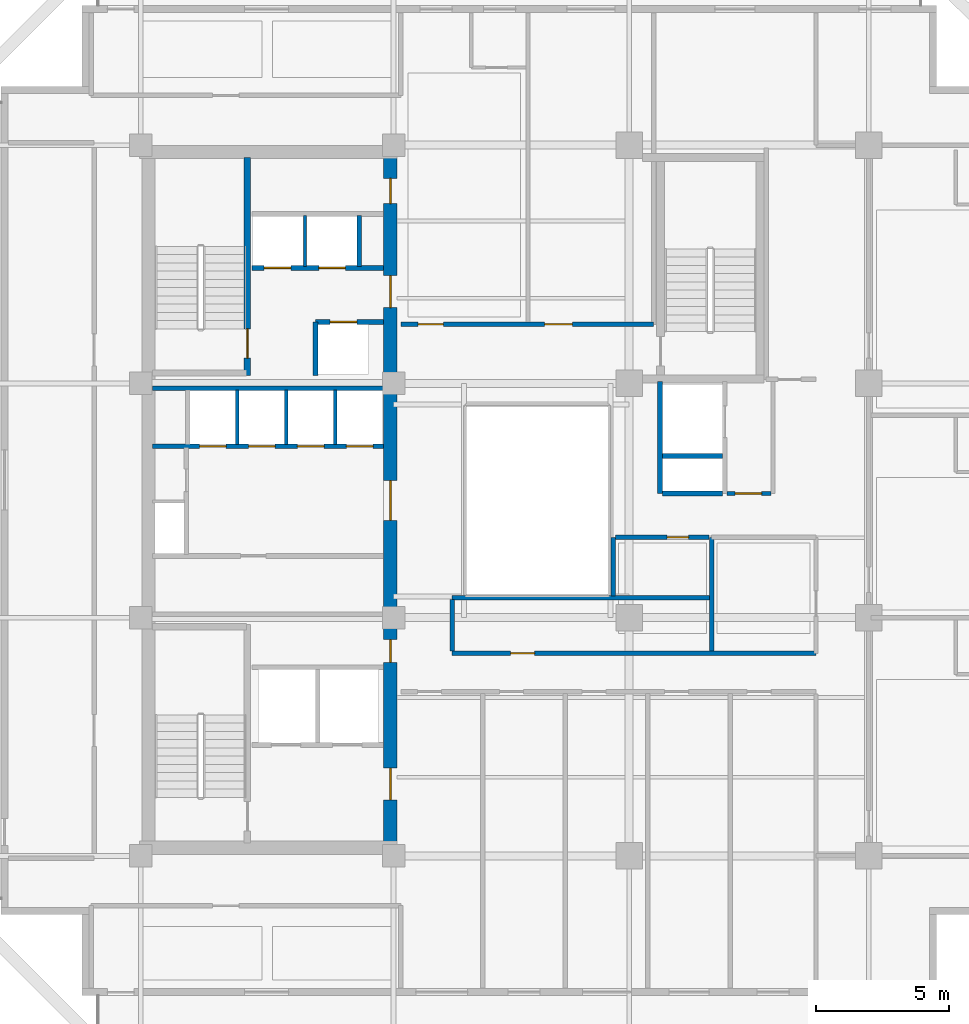
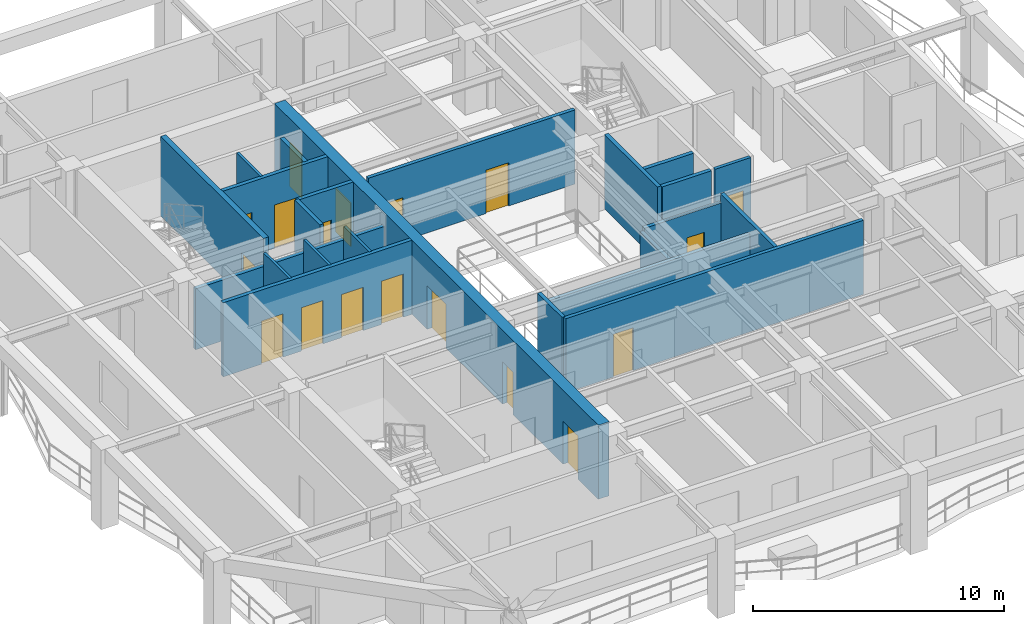
# One storey, part 4 of 10: 23 walls, 18 doors, 18 openings.
"""IFC4 building model written with IfcOpenShell, lengths in metres."""

import ifcopenshell
import ifcopenshell.guid

model = None  # the IFC model being written
_history = None  # IfcOwnerHistory: only IFC2X3 demands one
_inside = {}  # id of a spatial element -> (the spatial element, [elements in it])
_under = {}  # id of a project, library or spatial element -> (it, [spatial elements below it])
_declared = {}  # id of a project -> (the project, [libraries it declares])
_typed = {}  # id of a type object -> (the type object, [elements of that type])
_made_of = {}  # id of a material, layer set ... -> (it, [elements and type objects made of it])


def new_model(schema):
    """Start an empty IFC model of exactly this schema.

    Asked for "IFC4X3", IfcOpenShell would pick the latest addendum, in which some entities
    have other attributes; the version numbers below select the first issue.
    IFC2X3 requires an IfcOwnerHistory on every rooted entity: one is made here for all.
    """
    global model, _history
    if schema == "IFC4X3":
        model = ifcopenshell.file(schema_version=(4, 3, 0, 0))
    else:
        model = ifcopenshell.file(schema=schema)
    _inside.clear()
    _under.clear()
    _declared.clear()
    _typed.clear()
    _made_of.clear()
    _history = None
    if model.schema == "IFC2X3":
        org = make("IfcOrganization", Name="unknown")
        user = make(
            "IfcPersonAndOrganization",
            ThePerson=make("IfcPerson", FamilyName="unknown"),
            TheOrganization=org,
        )
        app = make(
            "IfcApplication",
            ApplicationDeveloper=org,
            Version="unknown",
            ApplicationFullName="unknown",
            ApplicationIdentifier="unknown",
        )
        _history = make(
            "IfcOwnerHistory",
            OwningUser=user,
            OwningApplication=app,
            ChangeAction="ADDED",
            CreationDate=0,
        )
    return model


def make(cls, **values):
    """One entity of the class cls with the attributes given. An attribute that is None is left unset."""
    return model.create_entity(
        cls, **{name: value for name, value in values.items() if value is not None}
    )


def rooted(cls, **values):
    """An entity with a GlobalId (a new one), such as an element, a storey or a relation."""
    return make(cls, GlobalId=ifcopenshell.guid.new(), OwnerHistory=_history, **values)


def si_unit(unit_type, name, prefix=None):
    """IfcSIUnit, for example si_unit("LENGTHUNIT", "METRE", prefix="MILLI")."""
    return make("IfcSIUnit", UnitType=unit_type, Prefix=prefix, Name=name)


def assignment(units):
    """IfcUnitAssignment: the units of a project."""
    return None if units is None else make("IfcUnitAssignment", Units=units)


def point(xyz):
    """IfcCartesianPoint."""
    return None if xyz is None else make("IfcCartesianPoint", Coordinates=xyz)


def direction(xyz):
    """IfcDirection."""
    return None if xyz is None else make("IfcDirection", DirectionRatios=xyz)


def frame(location, z_axis=None, x_axis=None):
    """IfcAxis2Placement3D, a coordinate frame: its origin and axes. An axis left out is left unset."""
    return make(
        "IfcAxis2Placement3D",
        Location=point(location),
        Axis=direction(z_axis),
        RefDirection=direction(x_axis),
    )


def frame_2d(location, x_axis=None):
    """IfcAxis2Placement2D, a coordinate frame in the plane: its origin and x axis."""
    return make(
        "IfcAxis2Placement2D", Location=point(location), RefDirection=direction(x_axis)
    )


def origin():
    """The frame at (0, 0, 0) with its axes left unset."""
    return frame((0.0, 0.0, 0.0))


def place(relative_to, where):
    """IfcLocalPlacement: puts the frame where relative to a parent placement (None: the world)."""
    return make(
        "IfcLocalPlacement", PlacementRelTo=relative_to, RelativePlacement=where
    )


def context(
    kind, dimensions, precision=None, world=None, true_north=None, identifier=None
):
    """IfcGeometricRepresentationContext, for example the 3D "Model" context."""
    return make(
        "IfcGeometricRepresentationContext",
        ContextIdentifier=identifier,
        ContextType=kind,
        CoordinateSpaceDimension=dimensions,
        Precision=precision,
        WorldCoordinateSystem=world,
        TrueNorth=true_north,
    )


def subcontext(parent, identifier, kind, view, scale=None):
    """IfcGeometricRepresentationSubContext, for example "Body" below "Model"."""
    return make(
        "IfcGeometricRepresentationSubContext",
        ContextIdentifier=identifier,
        ContextType=kind,
        ParentContext=parent,
        TargetScale=scale,
        TargetView=view,
    )


def project(units=None, contexts=None):
    """IfcProject with its units and contexts."""
    return rooted(
        "IfcProject",
        Name="project",
        RepresentationContexts=contexts,
        UnitsInContext=assignment(units),
    )


def spatial(cls, under=None, at=None, **own):
    """A site, building, storey or space (cls), placed at a placement, below another one or the project."""
    s = rooted(cls, ObjectPlacement=at, **own)
    if under is not None:
        _under.setdefault(under.id(), (under, []))[1].append(s)
    return s


def profile(cls, at=None, kind="AREA", **sizes):
    """A parametric profile (cls). Its sizes go by their IFC names, for example OverallWidth=200.0."""
    return make(cls, ProfileType=kind, Position=at, **sizes)


def rectangle(**sizes):
    """IfcRectangleProfileDef."""
    return profile("IfcRectangleProfileDef", **sizes)


def extrude(swept, where, along, depth):
    """IfcExtrudedAreaSolid: the profile swept, set in the frame where, extruded along a direction by depth."""
    return make(
        "IfcExtrudedAreaSolid",
        SweptArea=swept,
        Position=where,
        ExtrudedDirection=direction(along),
        Depth=depth,
    )


def shape(context_of_items, identifier, shape_type, items):
    """IfcShapeRepresentation: the items that make up one representation, for example the "Body"."""
    return make(
        "IfcShapeRepresentation",
        ContextOfItems=context_of_items,
        RepresentationIdentifier=identifier,
        RepresentationType=shape_type,
        Items=items,
    )


def material(Name=None, Category=None):
    """IfcMaterial."""
    return make("IfcMaterial", Name=Name, Category=Category)


def layer(
    of_material, thickness, ventilated=None, Name=None, Category=None, Priority=None
):
    """IfcMaterialLayer: one layer of a wall or slab, of a material (None: an air gap)."""
    return make(
        "IfcMaterialLayer",
        Material=of_material,
        LayerThickness=thickness,
        IsVentilated=ventilated,
        Name=Name,
        Category=Category,
        Priority=Priority,
    )


def layer_set(layers, Name=None):
    """IfcMaterialLayerSet."""
    return make("IfcMaterialLayerSet", MaterialLayers=layers, LayerSetName=Name)


def made_of(thing, what):
    """Note that an element or type object is made of a material, layer set ...; save() writes the relation."""
    if what is not None:
        _made_of.setdefault(what.id(), (what, []))[1].append(thing)
    return thing


def type_object(cls, material=None, **own):
    """A type object (cls), such as IfcWallType, which elements share."""
    return made_of(rooted(cls, **own), material)


def element(
    cls,
    number,
    at=None,
    inside=None,
    cuts=None,
    type_object=None,
    material=None,
    context=None,
    identifier="Body",
    shape_type=None,
    held_by="IfcProductDefinitionShape",
    body=None,
    shapes=None,
    **own,
):
    """One element of the class cls, such as IfcWall. Its Tag is "e" and its number.

    at: its placement. inside: the storey or other place that contains it. cuts: it is an
    opening in that element (IfcRelVoidsElement). A single representation is given by context,
    identifier, shape_type and body (its items); several are given by shapes. held_by: the class
    of the entity that holds the representations. save() writes the other relations.
    """
    e = rooted(cls, Tag="e%d" % number, ObjectPlacement=at, **own)
    if body is not None:
        shapes = [shape(context, identifier, shape_type, body)]
    if shapes is not None:
        e.Representation = make(held_by, Representations=shapes)
    if inside is not None:
        _inside.setdefault(inside.id(), (inside, []))[1].append(e)
    if cuts is not None:
        rooted(
            "IfcRelVoidsElement", RelatingBuildingElement=cuts, RelatedOpeningElement=e
        )
    if type_object is not None:
        _typed.setdefault(type_object.id(), (type_object, []))[1].append(e)
    return made_of(e, material)


def fill(opening, filler):
    """IfcRelFillsElement: the door or window that sits in an opening."""
    return rooted(
        "IfcRelFillsElement",
        RelatingOpeningElement=opening,
        RelatedBuildingElement=filler,
    )


def aggregate(whole, parts):
    """IfcRelAggregates: a whole, such as a stair, and the parts it consists of."""
    return rooted("IfcRelAggregates", RelatingObject=whole, RelatedObjects=parts)


def save(model, path):
    """Write the relations noted so far, then the file.

    IfcRelAggregates (storeys below a building ...), IfcRelContainedInSpatialStructure (elements
    in a storey), IfcRelDefinesByType, IfcRelAssociatesMaterial and IfcRelDeclares: one each for
    every whole, place, type object, material and project.
    """
    for whole, parts in _under.values():
        aggregate(whole, parts)
    for where, things in _inside.values():
        rooted(
            "IfcRelContainedInSpatialStructure",
            RelatedElements=things,
            RelatingStructure=where,
        )
    for kind, things in _typed.values():
        rooted("IfcRelDefinesByType", RelatedObjects=things, RelatingType=kind)
    for what, things in _made_of.values():
        rooted("IfcRelAssociatesMaterial", RelatedObjects=things, RelatingMaterial=what)
    for by, libraries in _declared.values():
        rooted("IfcRelDeclares", RelatingContext=by, RelatedDefinitions=libraries)
    model.write(path)


model = new_model("IFC4")

# Units and contexts
model_context = context("Model", 3, precision=1e-05, world=origin(), true_north=direction((0.0, 1.0)))
body_context = subcontext(model_context, "Body", "Model", "MODEL_VIEW")
ifc_project = project(units=[si_unit("LENGTHUNIT", "METRE"), si_unit("AREAUNIT", "SQUARE_METRE"), si_unit("VOLUMEUNIT", "CUBIC_METRE"), si_unit("PLANEANGLEUNIT", "RADIAN"), si_unit("MASSUNIT", "GRAM", prefix="KILO")], contexts=[model_context])

# Site, building, storey
site_placement = place(None, origin())
site = spatial("IfcSite", under=ifc_project, at=site_placement, CompositionType="ELEMENT")
building_placement = place(site_placement, origin())
building = spatial("IfcBuilding", under=site, at=building_placement, Name="Kundavana Baori Tower", CompositionType="ELEMENT")
storey_placement = place(building_placement, frame((0.0, 0.0, 138.64990234375)))
storey = spatial("IfcBuildingStorey", under=building, at=storey_placement, Name="L33", CompositionType="ELEMENT", Elevation=138.64990234375)

# Wall, opening, door
ifc_material_1 = material(Name="Concrete C50/60", Category="concrete")
ifc_layer_1 = layer(ifc_material_1, 0.39990234375, Name="WL-CORE-400")
ifc_layer_set_1 = layer_set([ifc_layer_1], Name="Concrete C50/60")
wall_type_1 = type_object("IfcWallType", Name="WL-CORE-400", PredefinedType="SHEAR", material=ifc_layer_set_1)
wall_1_placement = place(storey_placement, frame((19.4599609375, 33.300048828125, 0.0), z_axis=(0.0, 0.0, 1.0), x_axis=(0.0, 1.0, 0.0)))
wall_1 = element("IfcWall", 1, at=wall_1_placement, inside=storey, type_object=wall_type_1, Name="WL-L33-ST2-E", PredefinedType="SHEAR", context=body_context, shape_type="SweptSolid", body=[
    extrude(rectangle(XDim=8.179931640625, YDim=0.239990234375, at=frame_2d((4.08984375, 0.0))), origin(), (0.0, 0.0, 1.0), 3.85009765625),
])
opening_1_placement = place(wall_1_placement, frame((0.64990234375, 0.0, 0.0)))
opening_1 = element("IfcOpeningElement", 2, at=opening_1_placement, cuts=wall_1, Name="Opening FD-110", PredefinedType="OPENING", context=body_context, shape_type="SweptSolid", body=[
    extrude(rectangle(XDim=1.10009765625, YDim=2.10009765625, at=frame_2d((0.550048828125, 1.050048828125))), frame((0.0, 0.1298828125, 0.0), z_axis=(0.0, -1.0, 0.0), x_axis=(1.0, 0.0, 0.0)), (0.0, 0.0, 1.0), 0.260009765625),
])
ifc_material_2 = material(Name="Galvanised Steel Fire-Rated Door Leaf", Category="steel")
door_type_1 = type_object("IfcDoorType", Name="DR-FD120-1100", OperationType="NOTDEFINED", PredefinedType="DOOR", material=ifc_material_2)
door_1_placement = place(opening_1_placement, origin())
door_1 = element("IfcDoor", 3, at=door_1_placement, inside=storey, type_object=door_type_1, Name="DR-L33-ST2", OperationType="SINGLE_SWING_RIGHT", OverallHeight=2.10009765625, OverallWidth=1.10009765625, PredefinedType="DOOR", context=body_context, shape_type="SweptSolid", body=[
    extrude(rectangle(XDim=1.10009765625, YDim=2.10009765625, at=frame_2d((0.550048828125, 1.050048828125))), frame((0.0, 0.02490234375, 0.0), z_axis=(0.0, -1.0, 0.0), x_axis=(1.0, 0.0, 0.0)), (0.0, 0.0, 1.0), 0.050048828125),
])
fill(opening_1, door_1)

# Wall, openings, doors
ifc_material_3 = material(Name="Concrete C50/60", Category="concrete")
ifc_layer_2 = layer(ifc_material_3, 0.5, Name="WL-CORE-500")
ifc_layer_set_2 = layer_set([ifc_layer_2], Name="Concrete C50/60")
wall_type_2 = type_object("IfcWallType", Name="WL-CORE-500", PredefinedType="SHEAR", material=ifc_layer_set_2)
wall_2_placement = place(storey_placement, frame((24.830078125, 15.739990234375, 0.0), z_axis=(0.0, 0.0, 1.0), x_axis=(0.0, 1.0, 0.0)))
wall_2 = element("IfcWall", 4, at=wall_2_placement, inside=storey, type_object=wall_type_2, Name="L33 Offset Core East Shear Wall", PredefinedType="SHEAR", context=body_context, shape_type="SweptSolid", body=[
    extrude(rectangle(XDim=25.760009765625, YDim=0.5, at=frame_2d((12.8798828125, 0.0))), origin(), (0.0, 0.0, 1.0), 3.60009765625),
])
opening_2_placement = place(wall_2_placement, frame((1.610107421875, 0.0, 0.0)))
opening_2 = element("IfcOpeningElement", 5, at=opening_2_placement, cuts=wall_2, Name="Opening FD-120", PredefinedType="OPENING", context=body_context, shape_type="SweptSolid", body=[
    extrude(rectangle(XDim=1.199951171875, YDim=2.10009765625, at=frame_2d((0.60009765625, 1.050048828125))), frame((0.0, 0.260009765625, 0.0), z_axis=(0.0, -1.0, 0.0), x_axis=(1.0, 0.0, 0.0)), (0.0, 0.0, 1.0), 0.52001953125),
])
opening_3_placement = place(wall_2_placement, frame((6.780029296875, 0.0, 0.0)))
opening_3 = element("IfcOpeningElement", 6, at=opening_3_placement, cuts=wall_2, Name="Opening FD-085", PredefinedType="OPENING", context=body_context, shape_type="SweptSolid", body=[
    extrude(rectangle(XDim=0.85009765625, YDim=2.06005859375, at=frame_2d((0.425048828125, 1.030029296875))), frame((0.0, 0.260009765625, 0.0), z_axis=(0.0, -1.0, 0.0), x_axis=(1.0, 0.0, 0.0)), (0.0, 0.0, 1.0), 0.52001953125),
])
opening_4_placement = place(wall_2_placement, frame((12.110107421875, 0.0, 0.0)))
opening_4 = element("IfcOpeningElement", 7, at=opening_4_placement, cuts=wall_2, Name="Opening FD-150", PredefinedType="OPENING", context=body_context, shape_type="SweptSolid", body=[
    extrude(rectangle(XDim=1.5, YDim=2.1201171875, at=frame_2d((0.75, 1.06005859375))), frame((0.0, 0.260009765625, 0.0), z_axis=(0.0, -1.0, 0.0), x_axis=(1.0, 0.0, 0.0)), (0.0, 0.0, 1.0), 0.52001953125),
])
opening_5_placement = place(wall_2_placement, frame((20.110107421875, 0.0, 0.0)))
opening_5 = element("IfcOpeningElement", 8, at=opening_5_placement, cuts=wall_2, Name="Opening FD-122", PredefinedType="OPENING", context=body_context, shape_type="SweptSolid", body=[
    extrude(rectangle(XDim=1.199951171875, YDim=2.1201171875, at=frame_2d((0.60009765625, 1.06005859375))), frame((0.0, 0.260009765625, 0.0), z_axis=(0.0, -1.0, 0.0), x_axis=(1.0, 0.0, 0.0)), (0.0, 0.0, 1.0), 0.52001953125),
])
opening_6_placement = place(wall_2_placement, frame((24.010009765625, 0.0, 0.0)))
opening_6 = element("IfcOpeningElement", 9, at=opening_6_placement, cuts=wall_2, Name="Opening FD-095", PredefinedType="OPENING", context=body_context, shape_type="SweptSolid", body=[
    extrude(rectangle(XDim=0.949951171875, YDim=2.10009765625, at=frame_2d((0.47509765625, 1.050048828125))), frame((0.0, 0.260009765625, 0.0), z_axis=(0.0, -1.0, 0.0), x_axis=(1.0, 0.0, 0.0)), (0.0, 0.0, 1.0), 0.52001953125),
])
ifc_material_4 = material(Name="Galvanised Steel Fire-Rated Door Leaf", Category="steel")
door_type_2 = type_object("IfcDoorType", Name="DR-FD120-1200", OperationType="NOTDEFINED", PredefinedType="DOOR", material=ifc_material_4)
door_2_placement = place(opening_2_placement, frame((1.199951171875, 0.0, 0.0), z_axis=(0.0, 0.0, 1.0), x_axis=(-1.0, 0.0, 0.0)))
door_2 = element("IfcDoor", 10, at=door_2_placement, inside=storey, type_object=door_type_2, Name="DR-L33-FFLOB-E", OperationType="SINGLE_SWING_RIGHT", OverallHeight=2.10009765625, OverallWidth=1.199951171875, PredefinedType="DOOR", context=body_context, shape_type="SweptSolid", body=[
    extrude(rectangle(XDim=1.199951171875, YDim=2.10009765625, at=frame_2d((0.60009765625, 1.050048828125))), frame((0.0, 0.02490234375, 0.0), z_axis=(0.0, -1.0, 0.0), x_axis=(1.0, 0.0, 0.0)), (0.0, 0.0, 1.0), 0.050048828125),
])
fill(opening_2, door_2)
ifc_material_5 = material(Name="Galvanised Steel Fire-Rated Door Leaf", Category="steel")
door_type_3 = type_object("IfcDoorType", Name="DR-FD60-1200", OperationType="NOTDEFINED", PredefinedType="DOOR", material=ifc_material_5)
door_3_placement = place(opening_5_placement, frame((1.199951171875, 0.0, 0.0), z_axis=(0.0, 0.0, 1.0), x_axis=(-1.0, 0.0, 0.0)))
door_3 = element("IfcDoor", 11, at=door_3_placement, inside=storey, type_object=door_type_3, Name="DR-L33-HRLOB-E", OperationType="SINGLE_SWING_RIGHT", OverallHeight=2.1201171875, OverallWidth=1.199951171875, PredefinedType="DOOR", context=body_context, shape_type="SweptSolid", body=[
    extrude(rectangle(XDim=1.199951171875, YDim=2.1201171875, at=frame_2d((0.60009765625, 1.06005859375))), frame((0.0, 0.02490234375, 0.0), z_axis=(0.0, -1.0, 0.0), x_axis=(1.0, 0.0, 0.0)), (0.0, 0.0, 1.0), 0.050048828125),
])
fill(opening_5, door_3)
ifc_material_6 = material(Name="Galvanised Steel Fire-Rated Door Leaf", Category="steel")
door_type_4 = type_object("IfcDoorType", Name="DR-FD60-1500", OperationType="NOTDEFINED", PredefinedType="DOOR", material=ifc_material_6)
door_4_placement = place(opening_4_placement, frame((1.5, 0.0, 0.0), z_axis=(0.0, 0.0, 1.0), x_axis=(-1.0, 0.0, 0.0)))
door_4 = element("IfcDoor", 12, at=door_4_placement, inside=storey, type_object=door_type_4, Name="DR-L33-LIFTHALL-E", OperationType="SINGLE_SWING_LEFT", OverallHeight=2.1201171875, OverallWidth=1.5, PredefinedType="DOOR", context=body_context, shape_type="SweptSolid", body=[
    extrude(rectangle(XDim=1.5, YDim=2.1201171875, at=frame_2d((0.75, 1.06005859375))), frame((0.0, 0.02490234375, 0.0), z_axis=(0.0, -1.0, 0.0), x_axis=(1.0, 0.0, 0.0)), (0.0, 0.0, 1.0), 0.050048828125),
])
fill(opening_4, door_4)
ifc_material_7 = material(Name="Galvanised Steel Fire-Rated Door Leaf", Category="steel")
door_type_5 = type_object("IfcDoorType", Name="DR-FD60-850", OperationType="NOTDEFINED", PredefinedType="DOOR", material=ifc_material_7)
door_5_placement = place(opening_3_placement, frame((0.85009765625, 0.0, 0.0), z_axis=(0.0, 0.0, 1.0), x_axis=(-1.0, 0.0, 0.0)))
door_5 = element("IfcDoor", 13, at=door_5_placement, inside=storey, type_object=door_type_5, Name="DR-L33-CSMK1", OperationType="SINGLE_SWING_LEFT", OverallHeight=2.06005859375, OverallWidth=0.85009765625, PredefinedType="DOOR", context=body_context, shape_type="SweptSolid", body=[
    extrude(rectangle(XDim=0.85009765625, YDim=2.06005859375, at=frame_2d((0.425048828125, 1.030029296875))), frame((0.0, 0.02490234375, 0.0), z_axis=(0.0, -1.0, 0.0), x_axis=(1.0, 0.0, 0.0)), (0.0, 0.0, 1.0), 0.050048828125),
])
fill(opening_3, door_5)
ifc_material_8 = material(Name="Engineered Teak Fire-Rated Timber Door Leaf", Category="wood")
door_type_6 = type_object("IfcDoorType", Name="DR-FD60-950", OperationType="NOTDEFINED", PredefinedType="DOOR", material=ifc_material_8)
door_6_placement = place(opening_6_placement, frame((0.949951171875, 0.0, 0.0), z_axis=(0.0, 0.0, 1.0), x_axis=(-1.0, 0.0, 0.0)))
door_6 = element("IfcDoor", 14, at=door_6_placement, inside=storey, type_object=door_type_6, Name="DR-L33-CSRV1", OperationType="SINGLE_SWING_LEFT", OverallHeight=2.10009765625, OverallWidth=0.949951171875, PredefinedType="DOOR", context=body_context, shape_type="SweptSolid", body=[
    extrude(rectangle(XDim=0.949951171875, YDim=2.10009765625, at=frame_2d((0.47509765625, 1.050048828125))), frame((0.0, 0.02490234375, 0.0), z_axis=(0.0, -1.0, 0.0), x_axis=(1.0, 0.0, 0.0)), (0.0, 0.0, 1.0), 0.050048828125),
])
fill(opening_6, door_6)

# Walls
ifc_material_9 = material(Name="Acoustic Gypsum Plasterboard on Galvanised Steel Studs", Category="steel")
ifc_layer_3 = layer(ifc_material_9, 0.1201171875, Name="WL-PART-120")
ifc_layer_set_3 = layer_set([ifc_layer_3], Name="Acoustic Gypsum Plasterboard on Galvanised Steel Studs")
wall_type_3 = type_object("IfcWallType", Name="WL-PART-120", PredefinedType="PARTITIONING", material=ifc_layer_set_3)
for number, where, z_axis, x_axis, name in (
    (15, (19.080078125, 30.699951171875, 0.0), (0.0, 0.0, 1.0), (0.0, 1.0, 0.0), "WL-L33-LPMID-D1"),
    (16, (20.919921875, 30.699951171875, 0.0), (0.0, 0.0, 1.0), (0.0, 1.0, 0.0), "WL-L33-LPMID-D2"),
    (17, (22.760009765625, 30.699951171875, 0.0), (0.0, 0.0, 1.0), (0.0, 1.0, 0.0), "WL-L33-LPMID-D3"),
):
    element("IfcWall", number, at=place(storey_placement, frame(where, z_axis=z_axis, x_axis=x_axis)), inside=storey, type_object=wall_type_3, Name=name, PredefinedType="PARTITIONING", context=body_context, shape_type="SweptSolid", body=[
        extrude(rectangle(XDim=2.050048828125, YDim=0.1201171875, at=frame_2d((1.02490234375, 0.0))), origin(), (0.0, 0.0, 1.0), 3.60009765625),
    ])
wall_3_placement = place(storey_placement, frame((21.6201171875, 37.39990234375, 0.0), z_axis=(0.0, 0.0, 1.0), x_axis=(0.0, 1.0, 0.0)))
element("IfcWall", 18, at=wall_3_placement, inside=storey, type_object=wall_type_3, Name="WL-L33-HR-DIV1", PredefinedType="PARTITIONING", context=body_context, shape_type="SweptSolid", body=[
    extrude(rectangle(XDim=1.900146484375, YDim=0.1201171875, at=frame_2d((0.9501953125, 0.0))), origin(), (0.0, 0.0, 1.0), 3.60009765625),
])

# Wall, opening, door
ifc_material_10 = material(Name="Fire-Rated Gypsum Drywall on Galvanised Steel Studs", Category="steel")
ifc_layer_4 = layer(ifc_material_10, 0.14990234375, Name="WL-PART-150")
ifc_layer_set_4 = layer_set([ifc_layer_4], Name="Fire-Rated Gypsum Drywall on Galvanised Steel Studs")
wall_type_4 = type_object("IfcWallType", Name="WL-PART-150", PredefinedType="PARTITIONING", material=ifc_layer_set_4)
wall_4_placement = place(storey_placement, frame((37.47998046875, 28.860107421875, 0.0), z_axis=(0.0, 0.0, 1.0), x_axis=(1.0, 0.0, 0.0)))
wall_4 = element("IfcWall", 19, at=wall_4_placement, inside=storey, type_object=wall_type_4, Name="WL-L33-SVLOB-S", PredefinedType="PARTITIONING", context=body_context, shape_type="SweptSolid", body=[
    extrude(rectangle(XDim=1.64013671875, YDim=0.14990234375, at=frame_2d((0.820068359375, 0.0))), origin(), (0.0, 0.0, 1.0), 3.60009765625),
])
opening_7_placement = place(wall_4_placement, frame((0.300048828125, 0.0, 0.0)))
opening_7 = element("IfcOpeningElement", 20, at=opening_7_placement, cuts=wall_4, Name="Opening FD-100", PredefinedType="OPENING", context=body_context, shape_type="SweptSolid", body=[
    extrude(rectangle(XDim=1.0, YDim=2.10009765625, at=frame_2d((0.5, 1.050048828125))), frame((0.0, 0.0849609375, 0.0), z_axis=(0.0, -1.0, 0.0), x_axis=(1.0, 0.0, 0.0)), (0.0, 0.0, 1.0), 0.169921875),
])
ifc_material_11 = material(Name="Engineered Teak Fire-Rated Timber Door Leaf", Category="wood")
door_type_7 = type_object("IfcDoorType", Name="DR-FD60-1000", OperationType="NOTDEFINED", PredefinedType="DOOR", material=ifc_material_11)
door_7_placement = place(opening_7_placement, origin())
door_7 = element("IfcDoor", 21, at=door_7_placement, inside=storey, type_object=door_type_7, Name="DR-L33-SVLOB-OUT", OperationType="SINGLE_SWING_LEFT", OverallHeight=2.10009765625, OverallWidth=1.0, PredefinedType="DOOR", context=body_context, shape_type="SweptSolid", body=[
    extrude(rectangle(XDim=1.0, YDim=2.10009765625, at=frame_2d((0.5, 1.050048828125))), frame((0.0, 0.02490234375, 0.0), z_axis=(0.0, -1.0, 0.0), x_axis=(1.0, 0.0, 0.0)), (0.0, 0.0, 1.0), 0.050048828125),
])
fill(opening_7, door_7)

ifc_material_12 = material(Name="Fire-Rated Gypsum Drywall on Galvanised Steel Studs", Category="steel")
ifc_layer_5 = layer(ifc_material_12, 0.1650390625, Name="WL-PART-165")
ifc_layer_set_5 = layer_set([ifc_layer_5], Name="Fire-Rated Gypsum Drywall on Galvanised Steel Studs")
wall_type_5 = type_object("IfcWallType", Name="WL-PART-165", PredefinedType="PARTITIONING", material=ifc_layer_set_5)
wall_5_placement = place(storey_placement, frame((27.14990234375, 22.860107421875, 0.0), z_axis=(0.0, 0.0, 1.0), x_axis=(1.0, 0.0, 0.0)))
wall_5 = element("IfcWall", 22, at=wall_5_placement, inside=storey, type_object=wall_type_5, Name="WL-L33-HST", PredefinedType="PARTITIONING", context=body_context, shape_type="SweptSolid", body=[
    extrude(rectangle(XDim=13.670166015625, YDim=0.1650390625, at=frame_2d((6.8349609375, 0.0))), origin(), (0.0, 0.0, 1.0), 3.60009765625),
])
opening_8_placement = place(wall_5_placement, frame((2.199951171875, 0.0, 0.0)))
opening_8 = element("IfcOpeningElement", 23, at=opening_8_placement, cuts=wall_5, Name="Opening ID-090", PredefinedType="OPENING", context=body_context, shape_type="SweptSolid", body=[
    extrude(rectangle(XDim=0.89990234375, YDim=2.080078125, at=frame_2d((0.449951171875, 1.0400390625))), frame((0.0, 0.092529296875, 0.0), z_axis=(0.0, -1.0, 0.0), x_axis=(1.0, 0.0, 0.0)), (0.0, 0.0, 1.0), 0.18505859375),
])
ifc_material_13 = material(Name="Engineered Teak Solid-Core Timber Veneer", Category="wood")
door_type_8 = type_object("IfcDoorType", Name="DR-INT-900", OperationType="NOTDEFINED", PredefinedType="DOOR", material=ifc_material_13)
door_8_placement = place(opening_8_placement, origin())
door_8 = element("IfcDoor", 24, at=door_8_placement, inside=storey, type_object=door_type_8, Name="DR-L33-HPNT", OperationType="SINGLE_SWING_LEFT", OverallHeight=2.080078125, OverallWidth=0.89990234375, PredefinedType="DOOR", context=body_context, shape_type="SweptSolid", body=[
    extrude(rectangle(XDim=0.89990234375, YDim=2.080078125, at=frame_2d((0.449951171875, 1.0400390625))), frame((0.0, 0.02490234375, 0.0), z_axis=(0.0, -1.0, 0.0), x_axis=(1.0, 0.0, 0.0)), (0.0, 0.0, 1.0), 0.050048828125),
])
fill(opening_8, door_8)

# Wall, openings, doors
wall_6_placement = place(storey_placement, frame((25.219970703125, 35.219970703125, 0.0), z_axis=(0.0, 0.0, 1.0), x_axis=(1.0, 0.0, 0.0)))
wall_6 = element("IfcWall", 25, at=wall_6_placement, inside=storey, type_object=wall_type_5, Name="WL-L33-HN", PredefinedType="PARTITIONING", context=body_context, shape_type="SweptSolid", body=[
    extrude(rectangle(XDim=9.5, YDim=0.1650390625, at=frame_2d((4.75, 0.0))), origin(), (0.0, 0.0, 1.0), 3.60009765625),
])
opening_9_placement = place(wall_6_placement, frame((0.64990234375, 0.0, 0.0)))
opening_9 = element("IfcOpeningElement", 26, at=opening_9_placement, cuts=wall_6, Name="Opening FD-095", PredefinedType="OPENING", context=body_context, shape_type="SweptSolid", body=[
    extrude(rectangle(XDim=0.949951171875, YDim=2.10009765625, at=frame_2d((0.47509765625, 1.050048828125))), frame((0.0, 0.092529296875, 0.0), z_axis=(0.0, -1.0, 0.0), x_axis=(1.0, 0.0, 0.0)), (0.0, 0.0, 1.0), 0.18505859375),
])
opening_10_placement = place(wall_6_placement, frame((5.39990234375, 0.0, 0.0)))
opening_10 = element("IfcOpeningElement", 27, at=opening_10_placement, cuts=wall_6, Name="Opening ID-105", PredefinedType="OPENING", context=body_context, shape_type="SweptSolid", body=[
    extrude(rectangle(XDim=1.050048828125, YDim=2.10009765625, at=frame_2d((0.52490234375, 1.050048828125))), frame((0.0, 0.092529296875, 0.0), z_axis=(0.0, -1.0, 0.0), x_axis=(1.0, 0.0, 0.0)), (0.0, 0.0, 1.0), 0.18505859375),
])
door_9_placement = place(opening_9_placement, origin())
door_9 = element("IfcDoor", 28, at=door_9_placement, inside=storey, type_object=door_type_6, Name="DR-L33-HK-N1-ENT", OperationType="SINGLE_SWING_LEFT", OverallHeight=2.10009765625, OverallWidth=0.949951171875, PredefinedType="DOOR", context=body_context, shape_type="SweptSolid", body=[
    extrude(rectangle(XDim=0.949951171875, YDim=2.10009765625, at=frame_2d((0.47509765625, 1.050048828125))), frame((0.0, 0.02490234375, 0.0), z_axis=(0.0, -1.0, 0.0), x_axis=(1.0, 0.0, 0.0)), (0.0, 0.0, 1.0), 0.050048828125),
])
fill(opening_9, door_9)
ifc_material_14 = material(Name="Engineered Teak Solid-Core Timber Veneer", Category="wood")
door_type_9 = type_object("IfcDoorType", Name="DR-INT-1050", OperationType="NOTDEFINED", PredefinedType="DOOR", material=ifc_material_14)
door_10_placement = place(opening_10_placement, origin())
door_10 = element("IfcDoor", 29, at=door_10_placement, inside=storey, type_object=door_type_9, Name="DR-L33-HLNG", OperationType="SINGLE_SWING_RIGHT", OverallHeight=2.10009765625, OverallWidth=1.050048828125, PredefinedType="DOOR", context=body_context, shape_type="SweptSolid", body=[
    extrude(rectangle(XDim=1.050048828125, YDim=2.10009765625, at=frame_2d((0.52490234375, 1.050048828125))), frame((0.0, 0.02490234375, 0.0), z_axis=(0.0, -1.0, 0.0), x_axis=(1.0, 0.0, 0.0)), (0.0, 0.0, 1.0), 0.050048828125),
])
fill(opening_10, door_10)

# Walls
wall_7_placement = place(storey_placement, frame((36.89990234375, 22.93994140625, 0.0), z_axis=(0.0, 0.0, 1.0), x_axis=(0.0, 1.0, 0.0)))
element("IfcWall", 30, at=wall_7_placement, inside=storey, type_object=wall_type_5, Name="WL-L33-HKD", PredefinedType="PARTITIONING", context=body_context, shape_type="SweptSolid", body=[
    extrude(rectangle(XDim=4.280029296875, YDim=0.1650390625, at=frame_2d((2.14013671875, 0.0))), origin(), (0.0, 0.0, 1.0), 3.60009765625),
])
wall_8_placement = place(storey_placement, frame((27.14990234375, 24.949951171875, 0.0), z_axis=(0.0, 0.0, 1.0), x_axis=(1.0, 0.0, 0.0)))
element("IfcWall", 31, at=wall_8_placement, inside=storey, type_object=wall_type_5, Name="WL-L33-HPN1", PredefinedType="PARTITIONING", context=body_context, shape_type="SweptSolid", body=[
    extrude(rectangle(XDim=9.670166015625, YDim=0.1650390625, at=frame_2d((4.8349609375, 0.0))), origin(), (0.0, 0.0, 1.0), 3.050048828125),
])
wall_9_placement = place(storey_placement, frame((27.14990234375, 22.93994140625, 0.0), z_axis=(0.0, 0.0, 1.0), x_axis=(0.0, 1.0, 0.0)))
element("IfcWall", 32, at=wall_9_placement, inside=storey, type_object=wall_type_5, Name="WL-L33-HPN2", PredefinedType="PARTITIONING", context=body_context, shape_type="SweptSolid", body=[
    extrude(rectangle(XDim=1.93994140625, YDim=0.1650390625, at=frame_2d((0.969970703125, 0.0))), origin(), (0.0, 0.0, 1.0), 3.60009765625),
])
wall_10_placement = place(storey_placement, frame((33.199951171875, 25.02001953125, 0.0), z_axis=(0.0, 0.0, 1.0), x_axis=(0.0, 1.0, 0.0)))
element("IfcWall", 33, at=wall_10_placement, inside=storey, type_object=wall_type_5, Name="WL-L33-HASW", PredefinedType="PARTITIONING", context=body_context, shape_type="SweptSolid", body=[
    extrude(rectangle(XDim=2.199951171875, YDim=0.1650390625, at=frame_2d((1.10009765625, 0.0))), origin(), (0.0, 0.0, 1.0), 3.050048828125),
])

# Wall, opening, door
wall_11_placement = place(storey_placement, frame((33.280029296875, 27.219970703125, 0.0), z_axis=(0.0, 0.0, 1.0), x_axis=(1.0, 0.0, 0.0)))
wall_11 = element("IfcWall", 34, at=wall_11_placement, inside=storey, type_object=wall_type_5, Name="WL-L33-HASN", PredefinedType="PARTITIONING", context=body_context, shape_type="SweptSolid", body=[
    extrude(rectangle(XDim=3.52001953125, YDim=0.1650390625, at=frame_2d((1.760009765625, 0.0))), origin(), (0.0, 0.0, 1.0), 3.2001953125),
])
opening_11_placement = place(wall_11_placement, frame((1.949951171875, 0.0, 0.0)))
opening_11 = element("IfcOpeningElement", 35, at=opening_11_placement, cuts=wall_11, Name="Opening WD-080", PredefinedType="OPENING", context=body_context, shape_type="SweptSolid", body=[
    extrude(rectangle(XDim=0.800048828125, YDim=2.050048828125, at=frame_2d((0.39990234375, 1.02490234375))), frame((0.0, 0.092529296875, 0.0), z_axis=(0.0, -1.0, 0.0), x_axis=(1.0, 0.0, 0.0)), (0.0, 0.0, 1.0), 0.18505859375),
])
ifc_material_15 = material(Name="Engineered Teak Solid-Core Timber Veneer", Category="wood")
door_type_10 = type_object("IfcDoorType", Name="DR-WET-800", OperationType="NOTDEFINED", PredefinedType="DOOR", material=ifc_material_15)
door_11_placement = place(opening_11_placement, frame((0.800048828125, 0.0, 0.0), z_axis=(0.0, 0.0, 1.0), x_axis=(-1.0, 0.0, 0.0)))
door_11 = element("IfcDoor", 36, at=door_11_placement, inside=storey, type_object=door_type_10, Name="DR-L33-HLAS", OperationType="SINGLE_SWING_LEFT", OverallHeight=2.050048828125, OverallWidth=0.800048828125, PredefinedType="DOOR", context=body_context, shape_type="SweptSolid", body=[
    extrude(rectangle(XDim=0.800048828125, YDim=2.050048828125, at=frame_2d((0.39990234375, 1.02490234375))), frame((0.0, 0.02490234375, 0.0), z_axis=(0.0, -1.0, 0.0), x_axis=(1.0, 0.0, 0.0)), (0.0, 0.0, 1.0), 0.050048828125),
])
fill(opening_11, door_11)

# Wall, openings, doors
ifc_material_16 = material(Name="Autoclaved Aerated Concrete Blockwork Masonry", Category="masonry")
ifc_layer_6 = layer(ifc_material_16, 0.179931640625, Name="WL-SHAFT-180")
ifc_layer_set_6 = layer_set([ifc_layer_6], Name="Autoclaved Aerated Concrete Blockwork Masonry")
wall_type_6 = type_object("IfcWallType", Name="WL-SHAFT-180", PredefinedType="SOLIDWALL", material=ifc_layer_set_6)
wall_12_placement = place(storey_placement, frame((15.89990234375, 30.639892578125, 0.0), z_axis=(0.0, 0.0, 1.0), x_axis=(1.0, 0.0, 0.0)))
wall_12 = element("IfcWall", 37, at=wall_12_placement, inside=storey, type_object=wall_type_6, Name="WL-L33-LPMID-S", PredefinedType="SOLIDWALL", context=body_context, shape_type="SweptSolid", body=[
    extrude(rectangle(XDim=8.68017578125, YDim=0.179931640625, at=frame_2d((4.340087890625, 0.0))), origin(), (0.0, 0.0, 1.0), 3.60009765625),
])
opening_12_placement = place(wall_12_placement, frame((1.760009765625, 0.0, 0.0)))
opening_12 = element("IfcOpeningElement", 38, at=opening_12_placement, cuts=wall_12, Name="Opening LD-100", PredefinedType="OPENING", context=body_context, shape_type="SweptSolid", body=[
    extrude(rectangle(XDim=1.0, YDim=2.10009765625, at=frame_2d((0.5, 1.050048828125))), frame((0.0, 0.10009765625, 0.0), z_axis=(0.0, -1.0, 0.0), x_axis=(1.0, 0.0, 0.0)), (0.0, 0.0, 1.0), 0.199951171875),
])
opening_13_placement = place(wall_12_placement, frame((3.60009765625, 0.0, 0.0)))
opening_13 = element("IfcOpeningElement", 39, at=opening_13_placement, cuts=wall_12, Name="Opening LD-100", PredefinedType="OPENING", context=body_context, shape_type="SweptSolid", body=[
    extrude(rectangle(XDim=1.0, YDim=2.10009765625, at=frame_2d((0.5, 1.050048828125))), frame((0.0, 0.10009765625, 0.0), z_axis=(0.0, -1.0, 0.0), x_axis=(1.0, 0.0, 0.0)), (0.0, 0.0, 1.0), 0.199951171875),
])
opening_14_placement = place(wall_12_placement, frame((5.43994140625, 0.0, 0.0)))
opening_14 = element("IfcOpeningElement", 40, at=opening_14_placement, cuts=wall_12, Name="Opening LD-100", PredefinedType="OPENING", context=body_context, shape_type="SweptSolid", body=[
    extrude(rectangle(XDim=1.0, YDim=2.10009765625, at=frame_2d((0.5, 1.050048828125))), frame((0.0, 0.10009765625, 0.0), z_axis=(0.0, -1.0, 0.0), x_axis=(1.0, 0.0, 0.0)), (0.0, 0.0, 1.0), 0.199951171875),
])
opening_15_placement = place(wall_12_placement, frame((7.280029296875, 0.0, 0.0)))
opening_15 = element("IfcOpeningElement", 41, at=opening_15_placement, cuts=wall_12, Name="Opening LD-100", PredefinedType="OPENING", context=body_context, shape_type="SweptSolid", body=[
    extrude(rectangle(XDim=1.0, YDim=2.10009765625, at=frame_2d((0.5, 1.050048828125))), frame((0.0, 0.10009765625, 0.0), z_axis=(0.0, -1.0, 0.0), x_axis=(1.0, 0.0, 0.0)), (0.0, 0.0, 1.0), 0.199951171875),
])
ifc_material_17 = material(Name="Galvanised Steel Fire-Rated Door Leaf", Category="steel")
door_type_11 = type_object("IfcDoorType", Name="DR-SLIDE-LD1000", OperationType="NOTDEFINED", PredefinedType="DOOR", material=ifc_material_17)
door_12_placement = place(opening_12_placement, frame((1.0, 0.0, 0.0), z_axis=(0.0, 0.0, 1.0), x_axis=(-1.0, 0.0, 0.0)))
door_12 = element("IfcDoor", 42, at=door_12_placement, inside=storey, type_object=door_type_11, Name="DR-L33-LD-LP-05", OperationType="DOUBLE_DOOR_SLIDING", OverallHeight=2.10009765625, OverallWidth=1.0, PredefinedType="DOOR", context=body_context, shape_type="SweptSolid", body=[
    extrude(rectangle(XDim=1.0, YDim=2.10009765625, at=frame_2d((0.5, 1.050048828125))), frame((0.0, 0.02490234375, 0.0), z_axis=(0.0, -1.0, 0.0), x_axis=(1.0, 0.0, 0.0)), (0.0, 0.0, 1.0), 0.050048828125),
])
fill(opening_12, door_12)
door_13_placement = place(opening_13_placement, frame((1.0, 0.0, 0.0), z_axis=(0.0, 0.0, 1.0), x_axis=(-1.0, 0.0, 0.0)))
door_13 = element("IfcDoor", 43, at=door_13_placement, inside=storey, type_object=door_type_11, Name="DR-L33-LD-LP-06", OperationType="DOUBLE_DOOR_SLIDING", OverallHeight=2.10009765625, OverallWidth=1.0, PredefinedType="DOOR", context=body_context, shape_type="SweptSolid", body=[
    extrude(rectangle(XDim=1.0, YDim=2.10009765625, at=frame_2d((0.5, 1.050048828125))), frame((0.0, 0.02490234375, 0.0), z_axis=(0.0, -1.0, 0.0), x_axis=(1.0, 0.0, 0.0)), (0.0, 0.0, 1.0), 0.050048828125),
])
fill(opening_13, door_13)
door_14_placement = place(opening_14_placement, frame((1.0, 0.0, 0.0), z_axis=(0.0, 0.0, 1.0), x_axis=(-1.0, 0.0, 0.0)))
door_14 = element("IfcDoor", 44, at=door_14_placement, inside=storey, type_object=door_type_11, Name="DR-L33-LD-LP-07", OperationType="DOUBLE_DOOR_SLIDING", OverallHeight=2.10009765625, OverallWidth=1.0, PredefinedType="DOOR", context=body_context, shape_type="SweptSolid", body=[
    extrude(rectangle(XDim=1.0, YDim=2.10009765625, at=frame_2d((0.5, 1.050048828125))), frame((0.0, 0.02490234375, 0.0), z_axis=(0.0, -1.0, 0.0), x_axis=(1.0, 0.0, 0.0)), (0.0, 0.0, 1.0), 0.050048828125),
])
fill(opening_14, door_14)
door_15_placement = place(opening_15_placement, frame((1.0, 0.0, 0.0), z_axis=(0.0, 0.0, 1.0), x_axis=(-1.0, 0.0, 0.0)))
door_15 = element("IfcDoor", 45, at=door_15_placement, inside=storey, type_object=door_type_11, Name="DR-L33-LD-LP-08", OperationType="DOUBLE_DOOR_SLIDING", OverallHeight=2.10009765625, OverallWidth=1.0, PredefinedType="DOOR", context=body_context, shape_type="SweptSolid", body=[
    extrude(rectangle(XDim=1.0, YDim=2.10009765625, at=frame_2d((0.5, 1.050048828125))), frame((0.0, 0.02490234375, 0.0), z_axis=(0.0, -1.0, 0.0), x_axis=(1.0, 0.0, 0.0)), (0.0, 0.0, 1.0), 0.050048828125),
])
fill(opening_15, door_15)

# Wall
wall_13_placement = place(storey_placement, frame((15.89990234375, 32.820068359375, 0.0), z_axis=(0.0, 0.0, 1.0), x_axis=(1.0, 0.0, 0.0)))
element("IfcWall", 46, at=wall_13_placement, inside=storey, type_object=wall_type_6, Name="WL-L33-LPMID-N", PredefinedType="SOLIDWALL", context=body_context, shape_type="SweptSolid", body=[
    extrude(rectangle(XDim=8.68017578125, YDim=0.179931640625, at=frame_2d((4.340087890625, 0.0))), origin(), (0.0, 0.0, 1.0), 2.9501953125),
])

# Wall, opening, door
wall_14_placement = place(storey_placement, frame((22.02001953125, 35.31005859375, 0.0), z_axis=(0.0, 0.0, 1.0), x_axis=(1.0, 0.0, 0.0)))
wall_14 = element("IfcWall", 47, at=wall_14_placement, inside=storey, type_object=wall_type_6, Name="WL-L33-LP11-N", PredefinedType="SOLIDWALL", context=body_context, shape_type="SweptSolid", body=[
    extrude(rectangle(XDim=2.56005859375, YDim=0.179931640625, at=frame_2d((1.280029296875, 0.0))), origin(), (0.0, 0.0, 1.0), 3.60009765625),
])
opening_16_placement = place(wall_14_placement, frame((0.550048828125, 0.0, 0.0)))
opening_16 = element("IfcOpeningElement", 48, at=opening_16_placement, cuts=wall_14, Name="Opening LD-100", PredefinedType="OPENING", context=body_context, shape_type="SweptSolid", body=[
    extrude(rectangle(XDim=1.0, YDim=2.10009765625, at=frame_2d((0.5, 1.050048828125))), frame((0.0, 0.10009765625, 0.0), z_axis=(0.0, -1.0, 0.0), x_axis=(1.0, 0.0, 0.0)), (0.0, 0.0, 1.0), 0.199951171875),
])
door_16_placement = place(opening_16_placement, origin())
door_16 = element("IfcDoor", 49, at=door_16_placement, inside=storey, type_object=door_type_11, Name="DR-L33-LD-LP11", OperationType="DOUBLE_DOOR_SLIDING", OverallHeight=2.10009765625, OverallWidth=1.0, PredefinedType="DOOR", context=body_context, shape_type="SweptSolid", body=[
    extrude(rectangle(XDim=1.0, YDim=2.10009765625, at=frame_2d((0.5, 1.050048828125))), frame((0.0, 0.02490234375, 0.0), z_axis=(0.0, -1.0, 0.0), x_axis=(1.0, 0.0, 0.0)), (0.0, 0.0, 1.0), 0.050048828125),
])
fill(opening_16, door_16)

# Wall
wall_15_placement = place(storey_placement, frame((22.02001953125, 33.300048828125, 0.0), z_axis=(0.0, 0.0, 1.0), x_axis=(0.0, 1.0, 0.0)))
element("IfcWall", 50, at=wall_15_placement, inside=storey, type_object=wall_type_6, Name="WL-L33-LP11-W", PredefinedType="SOLIDWALL", context=body_context, shape_type="SweptSolid", body=[
    extrude(rectangle(XDim=2.010009765625, YDim=0.179931640625, at=frame_2d((1.0048828125, 0.0))), origin(), (0.0, 0.0, 1.0), 3.60009765625),
])

# Wall, openings, doors
wall_16_placement = place(storey_placement, frame((19.639892578125, 37.340087890625, 0.0), z_axis=(0.0, 0.0, 1.0), x_axis=(1.0, 0.0, 0.0)))
wall_16 = element("IfcWall", 51, at=wall_16_placement, inside=storey, type_object=wall_type_6, Name="WL-L33-HRLOB-N", PredefinedType="SOLIDWALL", context=body_context, shape_type="SweptSolid", body=[
    extrude(rectangle(XDim=4.940185546875, YDim=0.179931640625, at=frame_2d((2.47021484375, 0.0))), origin(), (0.0, 0.0, 1.0), 3.60009765625),
])
opening_17_placement = place(wall_16_placement, frame((0.449951171875, 0.0, 0.0)))
opening_17 = element("IfcOpeningElement", 52, at=opening_17_placement, cuts=wall_16, Name="Opening LD-100", PredefinedType="OPENING", context=body_context, shape_type="SweptSolid", body=[
    extrude(rectangle(XDim=1.0, YDim=2.10009765625, at=frame_2d((0.5, 1.050048828125))), frame((0.0, 0.10009765625, 0.0), z_axis=(0.0, -1.0, 0.0), x_axis=(1.0, 0.0, 0.0)), (0.0, 0.0, 1.0), 0.199951171875),
])
opening_18_placement = place(wall_16_placement, frame((2.5, 0.0, 0.0)))
opening_18 = element("IfcOpeningElement", 53, at=opening_18_placement, cuts=wall_16, Name="Opening LD-100", PredefinedType="OPENING", context=body_context, shape_type="SweptSolid", body=[
    extrude(rectangle(XDim=1.0, YDim=2.10009765625, at=frame_2d((0.5, 1.050048828125))), frame((0.0, 0.10009765625, 0.0), z_axis=(0.0, -1.0, 0.0), x_axis=(1.0, 0.0, 0.0)), (0.0, 0.0, 1.0), 0.199951171875),
])
door_17_placement = place(opening_17_placement, frame((1.0, 0.0, 0.0), z_axis=(0.0, 0.0, 1.0), x_axis=(-1.0, 0.0, 0.0)))
door_17 = element("IfcDoor", 54, at=door_17_placement, inside=storey, type_object=door_type_11, Name="DR-L33-LD-LP09", OperationType="DOUBLE_DOOR_SLIDING", OverallHeight=2.10009765625, OverallWidth=1.0, PredefinedType="DOOR", context=body_context, shape_type="SweptSolid", body=[
    extrude(rectangle(XDim=1.0, YDim=2.10009765625, at=frame_2d((0.5, 1.050048828125))), frame((0.0, 0.02490234375, 0.0), z_axis=(0.0, -1.0, 0.0), x_axis=(1.0, 0.0, 0.0)), (0.0, 0.0, 1.0), 0.050048828125),
])
fill(opening_17, door_17)
door_18_placement = place(opening_18_placement, frame((1.0, 0.0, 0.0), z_axis=(0.0, 0.0, 1.0), x_axis=(-1.0, 0.0, 0.0)))
door_18 = element("IfcDoor", 55, at=door_18_placement, inside=storey, type_object=door_type_11, Name="DR-L33-LD-LP10", OperationType="DOUBLE_DOOR_SLIDING", OverallHeight=2.10009765625, OverallWidth=1.0, PredefinedType="DOOR", context=body_context, shape_type="SweptSolid", body=[
    extrude(rectangle(XDim=1.0, YDim=2.10009765625, at=frame_2d((0.5, 1.050048828125))), frame((0.0, 0.02490234375, 0.0), z_axis=(0.0, -1.0, 0.0), x_axis=(1.0, 0.0, 0.0)), (0.0, 0.0, 1.0), 0.050048828125),
])
fill(opening_18, door_18)

# Walls
wall_17_placement = place(storey_placement, frame((23.659912109375, 37.39990234375, 0.0), z_axis=(0.0, 0.0, 1.0), x_axis=(0.0, 1.0, 0.0)))
element("IfcWall", 56, at=wall_17_placement, inside=storey, type_object=wall_type_6, Name="WL-L33-HR-DIV2", PredefinedType="SOLIDWALL", context=body_context, shape_type="SweptSolid", body=[
    extrude(rectangle(XDim=1.900146484375, YDim=0.179931640625, at=frame_2d((0.9501953125, 0.0))), origin(), (0.0, 0.0, 1.0), 3.60009765625),
])
wall_18_placement = place(storey_placement, frame((34.9599609375, 28.860107421875, 0.0), z_axis=(0.0, 0.0, 1.0), x_axis=(0.0, 1.0, 0.0)))
element("IfcWall", 57, at=wall_18_placement, inside=storey, type_object=wall_type_6, Name="WL-L33-SVL-W", PredefinedType="SOLIDWALL", context=body_context, shape_type="SweptSolid", body=[
    extrude(rectangle(XDim=4.219970703125, YDim=0.179931640625, at=frame_2d((2.10986328125, 0.0))), origin(), (0.0, 0.0, 1.0), 3.60009765625),
])
for number, where, z_axis, x_axis, name in (
    (58, (35.050048828125, 28.860107421875, 0.0), (0.0, 0.0, 1.0), (1.0, 0.0, 0.0), "WL-L33-SVL-S"),
    (59, (35.050048828125, 30.27001953125, 0.0), (0.0, 0.0, 1.0), (1.0, 0.0, 0.0), "WL-L33-SVL-M"),
):
    element("IfcWall", number, at=place(storey_placement, frame(where, z_axis=z_axis, x_axis=x_axis)), inside=storey, type_object=wall_type_6, Name=name, PredefinedType="SOLIDWALL", context=body_context, shape_type="SweptSolid", body=[
        extrude(rectangle(XDim=2.25, YDim=0.179931640625, at=frame_2d((1.125, 0.0))), origin(), (0.0, 0.0, 1.0), 3.60009765625),
    ])

save(model, "model.ifc")
